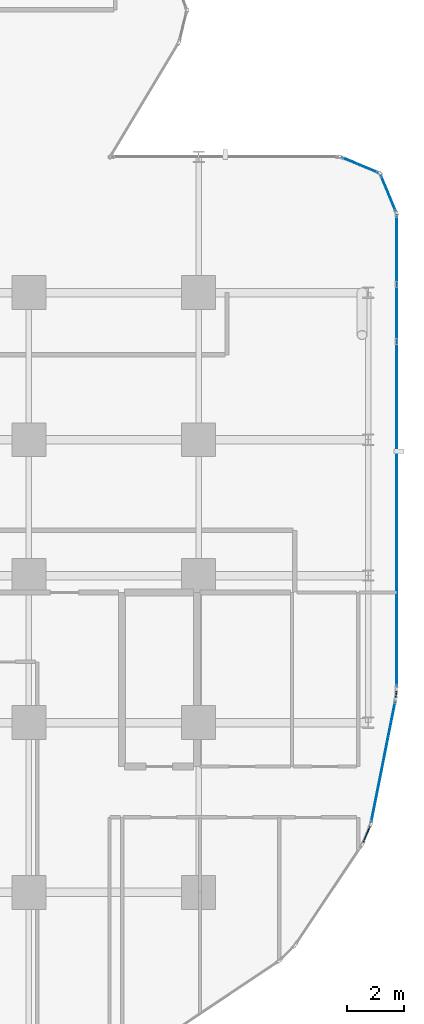
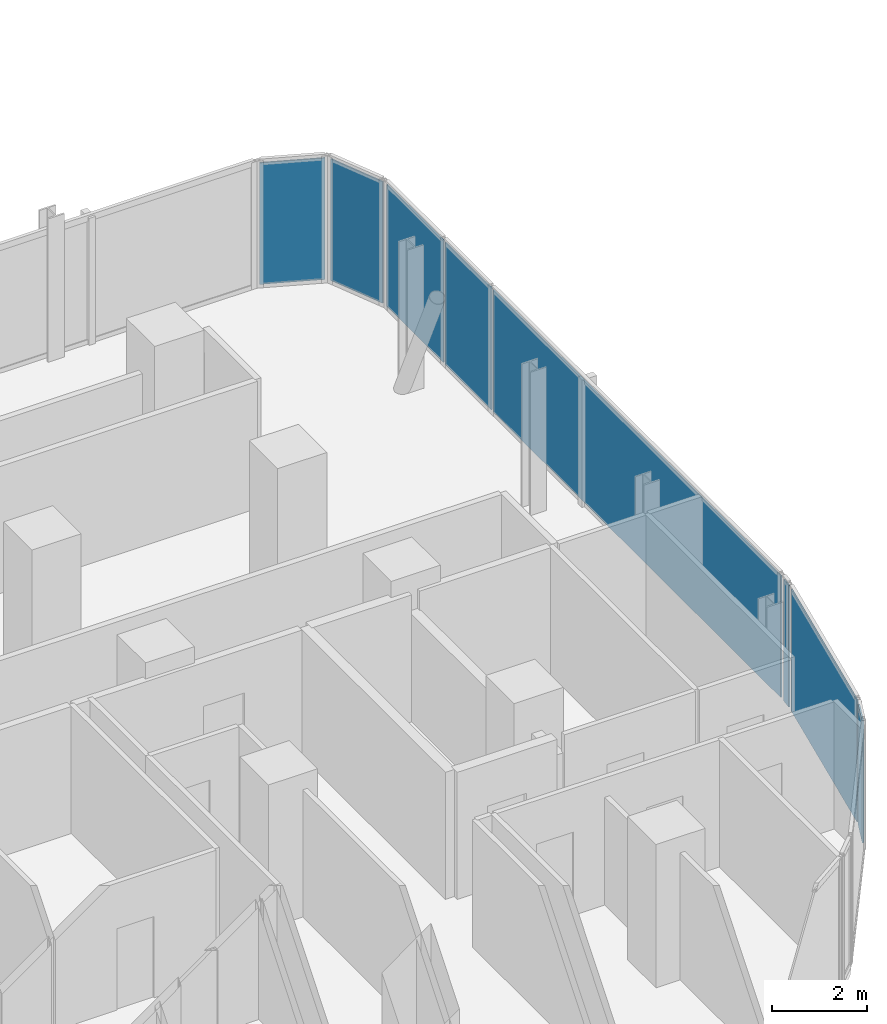
# One storey, part 25 of 34: 8 plates, 8 elements without a shape of their own.
"""IFC4 building model written with IfcOpenShell, lengths in metres."""

from ifc_helpers import new_model, si_unit, direction, frame, origin, origin_2d, place, context, subcontext, project, spatial, rectangle, extrude, material, layer, layer_set, type_object, element, aggregate, save


model = new_model("IFC4")

# Units and contexts
model_context = context("Model", 3, precision=1e-05, world=origin(), true_north=direction((0.0, 1.0)))
body_context = subcontext(model_context, "Body", "Model", "MODEL_VIEW")
ifc_project = project(units=[si_unit("LENGTHUNIT", "METRE"), si_unit("AREAUNIT", "SQUARE_METRE"), si_unit("VOLUMEUNIT", "CUBIC_METRE"), si_unit("PLANEANGLEUNIT", "RADIAN"), si_unit("MASSUNIT", "GRAM", prefix="KILO")], contexts=[model_context])

# Site, building, storey
site_placement = place(None, origin())
site = spatial("IfcSite", under=ifc_project, at=site_placement, CompositionType="ELEMENT")
building_placement = place(site_placement, origin())
building = spatial("IfcBuilding", under=site, at=building_placement, Name="Keshet Zoharim Tower", CompositionType="ELEMENT")
storey_placement = place(building_placement, frame((0.0, 0.0, 77.5)))
storey = spatial("IfcBuildingStorey", under=building, at=storey_placement, Name="L18", CompositionType="ELEMENT", Elevation=77.5)

# Curtain wall, plate
ifc_material_1 = material(Name="Aluminium 6063-T6", Category="aluminium")
ifc_layer_1 = layer(ifc_material_1, 0.179931640625)
ifc_layer_set_1 = layer_set([ifc_layer_1], Name="Aluminium 6063-T6")
curtain_wall_type_1 = type_object("IfcCurtainWallType", Name="CW-SYS-01", PredefinedType="NOTDEFINED", material=ifc_layer_set_1)
curtain_wall_1_placement = place(storey_placement, origin())
curtain_wall_1 = element("IfcCurtainWall", 1, at=curtain_wall_1_placement, inside=storey, type_object=curtain_wall_type_1, Name="L18 Unitised Curtain Wall 19", PredefinedType="NOTDEFINED")
ifc_material_2 = material(Name="Insulated Low-E Clear Glass", Category="glass")
ifc_layer_2 = layer(ifc_material_2, 0.035888671875)
ifc_layer_set_2 = layer_set([ifc_layer_2], Name="Insulated Low-E Clear Glass")
plate_type_1 = type_object("IfcPlateType", Name="CWP-01", PredefinedType="CURTAIN_PANEL", material=ifc_layer_set_2)
plate_1_placement = place(storey_placement, frame((68.9384765625, 8.75439453125, 0.06982421875), z_axis=(0.0, 0.0, 1.0), x_axis=(-0.383068349739, -0.923720000557, 0.0)))
plate_1 = element("IfcPlate", 2, at=plate_1_placement, type_object=plate_type_1, Name="CW-01 panel 1.1", PredefinedType="CURTAIN_PANEL", context=body_context, shape_type="SweptSolid", body=[
    extrude(rectangle(XDim=0.640625, YDim=0.035888671875, at=origin_2d()), origin(), (0.0, 0.0, 1.0), 3.139892578125),
])
aggregate(curtain_wall_1, [plate_1])

ifc_layer_3 = layer(ifc_material_1, 0.169921875)
ifc_layer_set_3 = layer_set([ifc_layer_3], Name="Aluminium 6063-T6")
curtain_wall_type_2 = type_object("IfcCurtainWallType", Name="CW-SYS-02", PredefinedType="NOTDEFINED", material=ifc_layer_set_3)
curtain_wall_2_placement = place(storey_placement, origin())
curtain_wall_2 = element("IfcCurtainWall", 3, at=curtain_wall_2_placement, inside=storey, type_object=curtain_wall_type_2, Name="L18 Unitised Curtain Wall 14", PredefinedType="NOTDEFINED")
ifc_layer_4 = layer(ifc_material_2, 0.031982421875)
ifc_layer_set_4 = layer_set([ifc_layer_4], Name="Insulated Low-E Clear Glass")
plate_type_2 = type_object("IfcPlateType", Name="CWP-02", PredefinedType="CURTAIN_PANEL", material=ifc_layer_set_4)
plate_2_placement = place(storey_placement, frame((68.70703125, 32.406982421875, 0.06982421875), z_axis=(0.0, 0.0, 1.0), x_axis=(0.92380975372, -0.382851849847, 0.0)))
plate_2 = element("IfcPlate", 4, at=plate_2_placement, type_object=plate_type_2, Name="CW-02 panel 1.1", PredefinedType="CURTAIN_PANEL", context=body_context, shape_type="SweptSolid", body=[
    extrude(rectangle(XDim=1.390625, YDim=0.031982421875, at=origin_2d()), origin(), (0.0, 0.0, 1.0), 3.139892578125),
])
aggregate(curtain_wall_2, [plate_2])

curtain_wall_3_placement = place(storey_placement, origin())
curtain_wall_3 = element("IfcCurtainWall", 5, at=curtain_wall_3_placement, inside=storey, type_object=curtain_wall_type_2, Name="L18 Unitised Curtain Wall 15", PredefinedType="NOTDEFINED")
plate_3_placement = place(storey_placement, frame((69.70703125, 31.406982421875, 0.06982421875), z_axis=(0.0, 0.0, 1.0), x_axis=(0.382851849847, -0.92380975372, 0.0)))
plate_3 = element("IfcPlate", 6, at=plate_3_placement, type_object=plate_type_2, Name="CW-02 panel 1.1", PredefinedType="CURTAIN_PANEL", context=body_context, shape_type="SweptSolid", body=[
    extrude(rectangle(XDim=1.390625, YDim=0.031982421875, at=origin_2d()), origin(), (0.0, 0.0, 1.0), 3.139892578125),
])
aggregate(curtain_wall_3, [plate_3])

curtain_wall_4_placement = place(storey_placement, origin())
curtain_wall_4 = element("IfcCurtainWall", 7, at=curtain_wall_4_placement, inside=storey, type_object=curtain_wall_type_2, Name="L18 Unitised Curtain Wall 16", PredefinedType="NOTDEFINED")
plate_4_placement = place(storey_placement, frame((70.0, 29.430908203125, 0.06982421875), z_axis=(0.0, 0.0, 1.0), x_axis=(0.0, -1.0, 0.0)))
plate_4 = element("IfcPlate", 8, at=plate_4_placement, type_object=plate_type_2, Name="CW-02 panel 1.1", PredefinedType="CURTAIN_PANEL", context=body_context, shape_type="SweptSolid", body=[
    extrude(rectangle(XDim=2.398193359375, YDim=0.031982421875, at=origin_2d()), origin(), (0.0, 0.0, 1.0), 3.139892578125),
])
aggregate(curtain_wall_4, [plate_4])

curtain_wall_5_placement = place(storey_placement, origin())
curtain_wall_5 = element("IfcCurtainWall", 9, at=curtain_wall_5_placement, inside=storey, type_object=curtain_wall_type_2, Name="L18 Unitised Curtain Wall 16 Part 3", PredefinedType="NOTDEFINED")
plate_5_placement = place(storey_placement, frame((70.0, 20.052734375, 0.06982421875), z_axis=(0.0, 0.0, 1.0), x_axis=(0.0, -1.0, 0.0)))
plate_5 = element("IfcPlate", 10, at=plate_5_placement, type_object=plate_type_2, Name="CW-02 panel 1.1", PredefinedType="CURTAIN_PANEL", context=body_context, shape_type="SweptSolid", body=[
    extrude(rectangle(XDim=12.17138671875, YDim=0.031982421875, at=origin_2d()), origin(), (0.0, 0.0, 1.0), 3.139892578125),
])
aggregate(curtain_wall_5, [plate_5])

curtain_wall_6_placement = place(storey_placement, origin())
curtain_wall_6 = element("IfcCurtainWall", 11, at=curtain_wall_6_placement, inside=storey, type_object=curtain_wall_type_2, Name="L18 Unitised Curtain Wall 17", PredefinedType="NOTDEFINED")
plate_6_placement = place(storey_placement, frame((69.98095703125, 13.701904296875, 0.06982421875), z_axis=(0.0, 0.0, 1.0), x_axis=(-0.096976648633, -0.995286657009, 0.0)))
plate_6 = element("IfcPlate", 12, at=plate_6_placement, type_object=plate_type_2, Name="CW-02 panel 1.1", PredefinedType="CURTAIN_PANEL", context=body_context, shape_type="SweptSolid", body=[
    extrude(rectangle(XDim=0.251953125, YDim=0.031982421875, at=origin_2d()), origin(), (0.0, 0.0, 1.0), 3.139892578125),
])
aggregate(curtain_wall_6, [plate_6])

curtain_wall_7_placement = place(storey_placement, origin())
curtain_wall_7 = element("IfcCurtainWall", 13, at=curtain_wall_7_placement, inside=storey, type_object=curtain_wall_type_2, Name="L18 Unitised Curtain Wall 18", PredefinedType="NOTDEFINED")
plate_7_placement = place(storey_placement, frame((69.52490234375, 11.31103515625, 0.06982421875), z_axis=(0.0, 0.0, 1.0), x_axis=(-0.195171279072, -0.98076917357, 0.0)))
plate_7 = element("IfcPlate", 14, at=plate_7_placement, type_object=plate_type_2, Name="CW-02 panel 1.1", PredefinedType="CURTAIN_PANEL", context=body_context, shape_type="SweptSolid", body=[
    extrude(rectangle(XDim=4.338134765625, YDim=0.031982421875, at=origin_2d()), origin(), (0.0, 0.0, 1.0), 3.139892578125),
])
aggregate(curtain_wall_7, [plate_7])

curtain_wall_8_placement = place(storey_placement, origin())
curtain_wall_8 = element("IfcCurtainWall", 15, at=curtain_wall_8_placement, inside=storey, type_object=curtain_wall_type_2, Name="L18 Unitised Curtain Wall 16 Part 2", PredefinedType="NOTDEFINED")
ifc_material_3 = material(Name="Insulated Aluminium Spandrel Panel", Category="aluminium")
ifc_layer_5 = layer(ifc_material_3, 0.031982421875)
ifc_layer_set_5 = layer_set([ifc_layer_5], Name="Insulated Aluminium Spandrel Panel")
plate_type_3 = type_object("IfcPlateType", Name="CWP-05", PredefinedType="CURTAIN_PANEL", material=ifc_layer_set_5)
plate_8_placement = place(storey_placement, frame((70.0, 27.18505859375, 0.06982421875), z_axis=(0.0, 0.0, 1.0), x_axis=(0.0, -1.0, 0.0)))
plate_8 = element("IfcPlate", 16, at=plate_8_placement, type_object=plate_type_3, Name="CW-02 spandrel panel 1.1", PredefinedType="CURTAIN_PANEL", context=body_context, shape_type="SweptSolid", body=[
    extrude(rectangle(XDim=1.953369140625, YDim=0.031982421875, at=origin_2d()), origin(), (0.0, 0.0, 1.0), 3.139892578125),
])
aggregate(curtain_wall_8, [plate_8])

save(model, "model.ifc")
